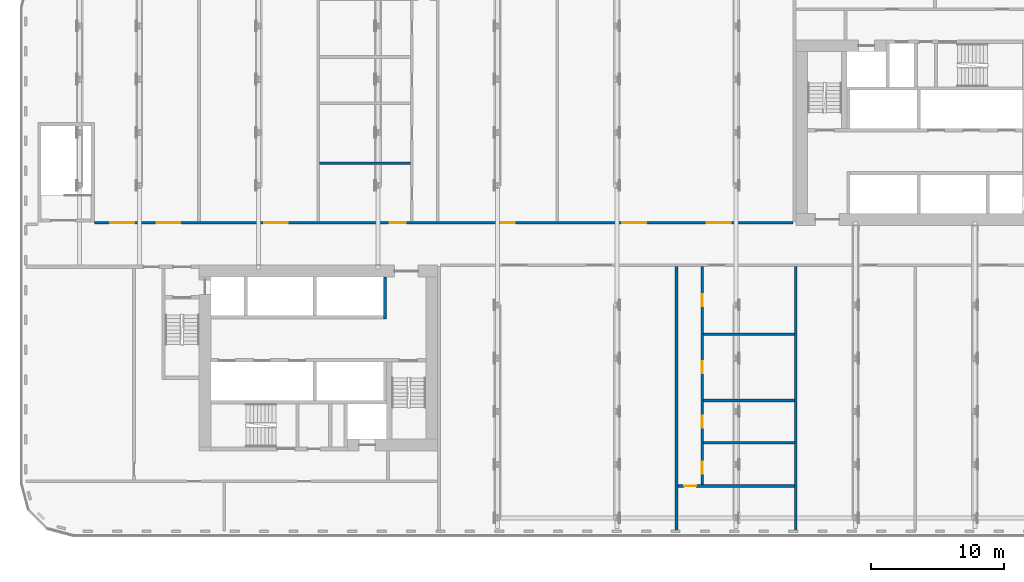
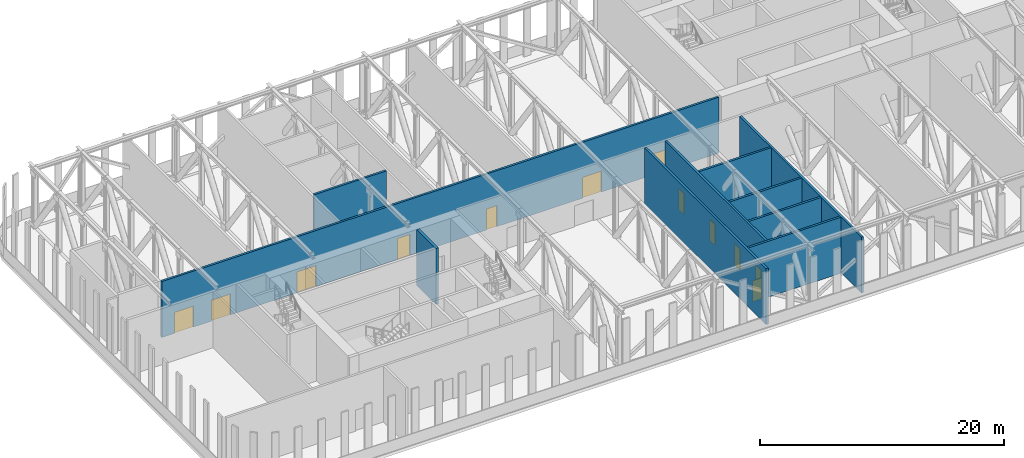
# One storey, part 7 of 26: 12 doors, 10 walls, 12 openings.
"""IFC4 building model written with IfcOpenShell, lengths in metres."""

from ifc_helpers import new_model, si_unit, direction, frame, frame_2d, origin, place, context, subcontext, project, spatial, rectangle, extrude, material, layer, layer_set, type_object, element, fill, save


model = new_model("IFC4")

# Units and contexts
model_context = context("Model", 3, precision=1e-05, world=origin(), true_north=direction((0.0, 1.0)))
body_context = subcontext(model_context, "Body", "Model", "MODEL_VIEW")
ifc_project = project(units=[si_unit("LENGTHUNIT", "METRE"), si_unit("AREAUNIT", "SQUARE_METRE"), si_unit("VOLUMEUNIT", "CUBIC_METRE"), si_unit("PLANEANGLEUNIT", "RADIAN"), si_unit("MASSUNIT", "GRAM", prefix="KILO")], contexts=[model_context])

# Site, building, storey
site_placement = place(None, origin())
site = spatial("IfcSite", under=ifc_project, at=site_placement, CompositionType="ELEMENT")
building_placement = place(site_placement, origin())
building = spatial("IfcBuilding", under=site, at=building_placement, Name="Kajstack Hotel Tower", CompositionType="ELEMENT")
storey_placement = place(building_placement, frame((0.0, 0.0, 47.0)))
storey = spatial("IfcBuildingStorey", under=building, at=storey_placement, Name="L07", CompositionType="ELEMENT", Elevation=47.0)

# Wall
ifc_material_1 = material(Name="Gypsum board on steel studs, mineral wool", Category="steel")
ifc_layer_1 = layer(ifc_material_1, 0.199951171875)
ifc_layer_set_1 = layer_set([ifc_layer_1], Name="Public partition 200")
wall_type_1 = type_object("IfcWallType", Name="Public partition 200", PredefinedType="PARTITIONING", material=ifc_layer_set_1)
wall_1_placement = place(storey_placement, frame((-22.39990234375, 6.199951171875, 0.0), z_axis=(0.0, 0.0, 1.0), x_axis=(1.0, 0.0, 0.0)))
element("IfcWall", 1, at=wall_1_placement, inside=storey, type_object=wall_type_1, Name="Partition C2wP0", PredefinedType="PARTITIONING", context=body_context, shape_type="SweptSolid", body=[
    extrude(rectangle(XDim=6.849853515625, YDim=0.199951171875, at=frame_2d((3.4248046875, 0.0))), origin(), (0.0, 0.0, 1.0), 5.60009765625),
])

# Wall, openings, doors
wall_2_placement = place(storey_placement, frame((-39.39990234375, 1.699951171875, 0.0), z_axis=(0.0, 0.0, 1.0), x_axis=(1.0, 0.0, 0.0)))
wall_2 = element("IfcWall", 2, at=wall_2_placement, inside=storey, type_object=wall_type_1, Name="Partition FW", PredefinedType="PARTITIONING", context=body_context, shape_type="SweptSolid", body=[
    extrude(rectangle(XDim=52.699951171875, YDim=0.199951171875, at=frame_2d((26.35009765625, 0.0))), origin(), (0.0, 0.0, 1.0), 5.60009765625),
])
opening_1_placement = place(wall_2_placement, frame((46.18994140625, 0.0, 0.0)))
opening_1 = element("IfcOpeningElement", 3, at=opening_1_placement, cuts=wall_2, Name="Opening 07P01", PredefinedType="OPENING", context=body_context, shape_type="SweptSolid", body=[
    extrude(rectangle(XDim=1.800048828125, YDim=2.10009765625, at=frame_2d((0.89990234375, 1.050048828125))), frame((0.0, 0.10986328125, 0.0), z_axis=(0.0, -1.0, 0.0), x_axis=(1.0, 0.0, 0.0)), (0.0, 0.0, 1.0), 0.219970703125),
])
opening_2_placement = place(wall_2_placement, frame((39.81005859375, 0.0, 0.0)))
opening_2 = element("IfcOpeningElement", 4, at=opening_2_placement, cuts=wall_2, Name="Opening 07P02", PredefinedType="OPENING", context=body_context, shape_type="SweptSolid", body=[
    extrude(rectangle(XDim=1.800048828125, YDim=2.10009765625, at=frame_2d((0.89990234375, 1.050048828125))), frame((0.0, 0.10986328125, 0.0), z_axis=(0.0, -1.0, 0.0), x_axis=(1.0, 0.0, 0.0)), (0.0, 0.0, 1.0), 0.219970703125),
])
opening_3_placement = place(wall_2_placement, frame((30.699951171875, 0.0, 0.0)))
opening_3 = element("IfcOpeningElement", 5, at=opening_3_placement, cuts=wall_2, Name="Opening 07P03", PredefinedType="OPENING", context=body_context, shape_type="SweptSolid", body=[
    extrude(rectangle(XDim=1.0, YDim=2.10009765625, at=frame_2d((0.5, 1.050048828125))), frame((0.0, 0.10986328125, 0.0), z_axis=(0.0, -1.0, 0.0), x_axis=(1.0, 0.0, 0.0)), (0.0, 0.0, 1.0), 0.219970703125),
])
opening_4_placement = place(wall_2_placement, frame((22.27490234375, 0.0, 0.0)))
opening_4 = element("IfcOpeningElement", 6, at=opening_4_placement, cuts=wall_2, Name="Opening 07P04", PredefinedType="OPENING", context=body_context, shape_type="SweptSolid", body=[
    extrude(rectangle(XDim=1.199951171875, YDim=2.10009765625, at=frame_2d((0.60009765625, 1.050048828125))), frame((0.0, 0.10986328125, 0.0), z_axis=(0.0, -1.0, 0.0), x_axis=(1.0, 0.0, 0.0)), (0.0, 0.0, 1.0), 0.219970703125),
])
opening_5_placement = place(wall_2_placement, frame((12.800048828125, 0.0, 0.0)))
opening_5 = element("IfcOpeningElement", 7, at=opening_5_placement, cuts=wall_2, Name="Opening 07P10", PredefinedType="OPENING", context=body_context, shape_type="SweptSolid", body=[
    extrude(rectangle(XDim=1.800048828125, YDim=2.10009765625, at=frame_2d((0.89990234375, 1.050048828125))), frame((0.0, 0.10986328125, 0.0), z_axis=(0.0, -1.0, 0.0), x_axis=(1.0, 0.0, 0.0)), (0.0, 0.0, 1.0), 0.219970703125),
])
opening_6_placement = place(wall_2_placement, frame((4.699951171875, 0.0, 0.0)))
opening_6 = element("IfcOpeningElement", 8, at=opening_6_placement, cuts=wall_2, Name="Opening 07P11", PredefinedType="OPENING", context=body_context, shape_type="SweptSolid", body=[
    extrude(rectangle(XDim=1.800048828125, YDim=2.10009765625, at=frame_2d((0.89990234375, 1.050048828125))), frame((0.0, 0.10986328125, 0.0), z_axis=(0.0, -1.0, 0.0), x_axis=(1.0, 0.0, 0.0)), (0.0, 0.0, 1.0), 0.219970703125),
])
opening_7_placement = place(wall_2_placement, frame((1.199951171875, 0.0, 0.0)))
opening_7 = element("IfcOpeningElement", 9, at=opening_7_placement, cuts=wall_2, Name="Opening 07P12", PredefinedType="OPENING", context=body_context, shape_type="SweptSolid", body=[
    extrude(rectangle(XDim=1.800048828125, YDim=2.10009765625, at=frame_2d((0.89990234375, 1.050048828125))), frame((0.0, 0.10986328125, 0.0), z_axis=(0.0, -1.0, 0.0), x_axis=(1.0, 0.0, 0.0)), (0.0, 0.0, 1.0), 0.219970703125),
])
ifc_material_2 = material(Name="Timber leaf, fire-rated", Category="wood")
door_type_1 = type_object("IfcDoorType", Name="Public corridor door 1200", OperationType="SINGLE_SWING_LEFT", PredefinedType="DOOR", material=ifc_material_2)
door_1_placement = place(opening_4_placement, origin())
door_1 = element("IfcDoor", 10, at=door_1_placement, inside=storey, type_object=door_type_1, Name="Door 07P04", OperationType="SINGLE_SWING_LEFT", OverallHeight=2.10009765625, OverallWidth=1.199951171875, PredefinedType="DOOR", context=body_context, shape_type="SweptSolid", body=[
    extrude(rectangle(XDim=1.199951171875, YDim=2.10009765625, at=frame_2d((0.60009765625, 1.050048828125))), frame((0.0, 0.02490234375, 0.0), z_axis=(0.0, -1.0, 0.0), x_axis=(1.0, 0.0, 0.0)), (0.0, 0.0, 1.0), 0.050048828125),
])
fill(opening_4, door_1)
ifc_material_3 = material(Name="Glazed timber frame, fire-rated glass", Category="wood")
door_type_2 = type_object("IfcDoorType", Name="Public double door 1800", OperationType="DOUBLE_DOOR_DOUBLE_SWING", PredefinedType="DOOR", material=ifc_material_3)
door_2_placement = place(opening_1_placement, origin())
door_2 = element("IfcDoor", 11, at=door_2_placement, inside=storey, type_object=door_type_2, Name="Door 07P01", OperationType="DOUBLE_DOOR_DOUBLE_SWING", OverallHeight=2.10009765625, OverallWidth=1.800048828125, PredefinedType="DOOR", context=body_context, shape_type="SweptSolid", body=[
    extrude(rectangle(XDim=1.800048828125, YDim=2.10009765625, at=frame_2d((0.89990234375, 1.050048828125))), frame((0.0, 0.02490234375, 0.0), z_axis=(0.0, -1.0, 0.0), x_axis=(1.0, 0.0, 0.0)), (0.0, 0.0, 1.0), 0.050048828125),
])
fill(opening_1, door_2)
door_3_placement = place(opening_2_placement, origin())
door_3 = element("IfcDoor", 12, at=door_3_placement, inside=storey, type_object=door_type_2, Name="Door 07P02", OperationType="DOUBLE_DOOR_DOUBLE_SWING", OverallHeight=2.10009765625, OverallWidth=1.800048828125, PredefinedType="DOOR", context=body_context, shape_type="SweptSolid", body=[
    extrude(rectangle(XDim=1.800048828125, YDim=2.10009765625, at=frame_2d((0.89990234375, 1.050048828125))), frame((0.0, 0.02490234375, 0.0), z_axis=(0.0, -1.0, 0.0), x_axis=(1.0, 0.0, 0.0)), (0.0, 0.0, 1.0), 0.050048828125),
])
fill(opening_2, door_3)
door_4_placement = place(opening_5_placement, origin())
door_4 = element("IfcDoor", 13, at=door_4_placement, inside=storey, type_object=door_type_2, Name="Door 07P10", OperationType="DOUBLE_DOOR_DOUBLE_SWING", OverallHeight=2.10009765625, OverallWidth=1.800048828125, PredefinedType="DOOR", context=body_context, shape_type="SweptSolid", body=[
    extrude(rectangle(XDim=1.800048828125, YDim=2.10009765625, at=frame_2d((0.89990234375, 1.050048828125))), frame((0.0, 0.02490234375, 0.0), z_axis=(0.0, -1.0, 0.0), x_axis=(1.0, 0.0, 0.0)), (0.0, 0.0, 1.0), 0.050048828125),
])
fill(opening_5, door_4)
door_5_placement = place(opening_6_placement, origin())
door_5 = element("IfcDoor", 14, at=door_5_placement, inside=storey, type_object=door_type_2, Name="Door 07P11", OperationType="DOUBLE_DOOR_DOUBLE_SWING", OverallHeight=2.10009765625, OverallWidth=1.800048828125, PredefinedType="DOOR", context=body_context, shape_type="SweptSolid", body=[
    extrude(rectangle(XDim=1.800048828125, YDim=2.10009765625, at=frame_2d((0.89990234375, 1.050048828125))), frame((0.0, 0.02490234375, 0.0), z_axis=(0.0, -1.0, 0.0), x_axis=(1.0, 0.0, 0.0)), (0.0, 0.0, 1.0), 0.050048828125),
])
fill(opening_6, door_5)
door_6_placement = place(opening_7_placement, origin())
door_6 = element("IfcDoor", 15, at=door_6_placement, inside=storey, type_object=door_type_2, Name="Door 07P12", OperationType="DOUBLE_DOOR_DOUBLE_SWING", OverallHeight=2.10009765625, OverallWidth=1.800048828125, PredefinedType="DOOR", context=body_context, shape_type="SweptSolid", body=[
    extrude(rectangle(XDim=1.800048828125, YDim=2.10009765625, at=frame_2d((0.89990234375, 1.050048828125))), frame((0.0, 0.02490234375, 0.0), z_axis=(0.0, -1.0, 0.0), x_axis=(1.0, 0.0, 0.0)), (0.0, 0.0, 1.0), 0.050048828125),
])
fill(opening_7, door_6)
ifc_material_4 = material(Name="Timber leaf", Category="wood")
door_type_3 = type_object("IfcDoorType", Name="Public room door 1000", OperationType="SINGLE_SWING_LEFT", PredefinedType="DOOR", material=ifc_material_4)
door_7_placement = place(opening_3_placement, origin())
door_7 = element("IfcDoor", 16, at=door_7_placement, inside=storey, type_object=door_type_3, Name="Door 07P03", OperationType="SINGLE_SWING_LEFT", OverallHeight=2.10009765625, OverallWidth=1.0, PredefinedType="DOOR", context=body_context, shape_type="SweptSolid", body=[
    extrude(rectangle(XDim=1.0, YDim=2.10009765625, at=frame_2d((0.5, 1.050048828125))), frame((0.0, 0.02490234375, 0.0), z_axis=(0.0, -1.0, 0.0), x_axis=(1.0, 0.0, 0.0)), (0.0, 0.0, 1.0), 0.050048828125),
])
fill(opening_3, door_7)

# Wall
wall_3_placement = place(storey_placement, frame((4.5, -21.550048828125, 0.0), z_axis=(0.0, 0.0, 1.0), x_axis=(0.0, 1.0, 0.0)))
element("IfcWall", 17, at=wall_3_placement, inside=storey, type_object=wall_type_1, Name="Partition SPX0", PredefinedType="PARTITIONING", context=body_context, shape_type="SweptSolid", body=[
    extrude(rectangle(XDim=19.949951171875, YDim=0.199951171875, at=frame_2d((9.97509765625, 0.0))), origin(), (0.0, 0.0, 1.0), 5.60009765625),
])

# Wall, openings, doors
wall_4_placement = place(storey_placement, frame((6.449951171875, -18.050048828125, 0.0), z_axis=(0.0, 0.0, 1.0), x_axis=(0.0, 1.0, 0.0)))
wall_4 = element("IfcWall", 18, at=wall_4_placement, inside=storey, type_object=wall_type_1, Name="Partition SC1CW", PredefinedType="PARTITIONING", context=body_context, shape_type="SweptSolid", body=[
    extrude(rectangle(XDim=16.449951171875, YDim=0.199951171875, at=frame_2d((8.22509765625, 0.0))), origin(), (0.0, 0.0, 1.0), 5.60009765625),
])
opening_8_placement = place(wall_4_placement, frame((13.449951171875, 0.0, 0.0)))
opening_8 = element("IfcOpeningElement", 19, at=opening_8_placement, cuts=wall_4, Name="Opening 07P16", PredefinedType="OPENING", context=body_context, shape_type="SweptSolid", body=[
    extrude(rectangle(XDim=0.89990234375, YDim=2.10009765625, at=frame_2d((0.449951171875, 1.050048828125))), frame((0.0, 0.10986328125, 0.0), z_axis=(0.0, -1.0, 0.0), x_axis=(1.0, 0.0, 0.0)), (0.0, 0.0, 1.0), 0.219970703125),
])
opening_9_placement = place(wall_4_placement, frame((8.39990234375, 0.0, 0.0)))
opening_9 = element("IfcOpeningElement", 20, at=opening_9_placement, cuts=wall_4, Name="Opening 07P17", PredefinedType="OPENING", context=body_context, shape_type="SweptSolid", body=[
    extrude(rectangle(XDim=0.89990234375, YDim=2.10009765625, at=frame_2d((0.449951171875, 1.050048828125))), frame((0.0, 0.10986328125, 0.0), z_axis=(0.0, -1.0, 0.0), x_axis=(1.0, 0.0, 0.0)), (0.0, 0.0, 1.0), 0.219970703125),
])
opening_10_placement = place(wall_4_placement, frame((4.300048828125, 0.0, 0.0)))
opening_10 = element("IfcOpeningElement", 21, at=opening_10_placement, cuts=wall_4, Name="Opening 07P18", PredefinedType="OPENING", context=body_context, shape_type="SweptSolid", body=[
    extrude(rectangle(XDim=0.89990234375, YDim=2.10009765625, at=frame_2d((0.449951171875, 1.050048828125))), frame((0.0, 0.10986328125, 0.0), z_axis=(0.0, -1.0, 0.0), x_axis=(1.0, 0.0, 0.0)), (0.0, 0.0, 1.0), 0.219970703125),
])
opening_11_placement = place(wall_4_placement, frame((0.824951171875, 0.0, 0.0)))
opening_11 = element("IfcOpeningElement", 22, at=opening_11_placement, cuts=wall_4, Name="Opening 07P19", PredefinedType="OPENING", context=body_context, shape_type="SweptSolid", body=[
    extrude(rectangle(XDim=0.89990234375, YDim=2.10009765625, at=frame_2d((0.449951171875, 1.050048828125))), frame((0.0, 0.10986328125, 0.0), z_axis=(0.0, -1.0, 0.0), x_axis=(1.0, 0.0, 0.0)), (0.0, 0.0, 1.0), 0.219970703125),
])
door_type_4 = type_object("IfcDoorType", Name="Public room door 900", OperationType="SINGLE_SWING_LEFT", PredefinedType="DOOR", material=ifc_material_4)
door_8_placement = place(opening_8_placement, origin())
door_8 = element("IfcDoor", 23, at=door_8_placement, inside=storey, type_object=door_type_4, Name="Door 07P16", OperationType="SINGLE_SWING_RIGHT", OverallHeight=2.10009765625, OverallWidth=0.89990234375, PredefinedType="DOOR", context=body_context, shape_type="SweptSolid", body=[
    extrude(rectangle(XDim=0.89990234375, YDim=2.10009765625, at=frame_2d((0.449951171875, 1.050048828125))), frame((0.0, 0.02490234375, 0.0), z_axis=(0.0, -1.0, 0.0), x_axis=(1.0, 0.0, 0.0)), (0.0, 0.0, 1.0), 0.050048828125),
])
fill(opening_8, door_8)
door_9_placement = place(opening_9_placement, origin())
door_9 = element("IfcDoor", 24, at=door_9_placement, inside=storey, type_object=door_type_4, Name="Door 07P17", OperationType="SINGLE_SWING_RIGHT", OverallHeight=2.10009765625, OverallWidth=0.89990234375, PredefinedType="DOOR", context=body_context, shape_type="SweptSolid", body=[
    extrude(rectangle(XDim=0.89990234375, YDim=2.10009765625, at=frame_2d((0.449951171875, 1.050048828125))), frame((0.0, 0.02490234375, 0.0), z_axis=(0.0, -1.0, 0.0), x_axis=(1.0, 0.0, 0.0)), (0.0, 0.0, 1.0), 0.050048828125),
])
fill(opening_9, door_9)
door_10_placement = place(opening_10_placement, origin())
door_10 = element("IfcDoor", 25, at=door_10_placement, inside=storey, type_object=door_type_4, Name="Door 07P18", OperationType="SINGLE_SWING_RIGHT", OverallHeight=2.10009765625, OverallWidth=0.89990234375, PredefinedType="DOOR", context=body_context, shape_type="SweptSolid", body=[
    extrude(rectangle(XDim=0.89990234375, YDim=2.10009765625, at=frame_2d((0.449951171875, 1.050048828125))), frame((0.0, 0.02490234375, 0.0), z_axis=(0.0, -1.0, 0.0), x_axis=(1.0, 0.0, 0.0)), (0.0, 0.0, 1.0), 0.050048828125),
])
fill(opening_10, door_10)
door_11_placement = place(opening_11_placement, origin())
door_11 = element("IfcDoor", 26, at=door_11_placement, inside=storey, type_object=door_type_4, Name="Door 07P19", OperationType="SINGLE_SWING_RIGHT", OverallHeight=2.10009765625, OverallWidth=0.89990234375, PredefinedType="DOOR", context=body_context, shape_type="SweptSolid", body=[
    extrude(rectangle(XDim=0.89990234375, YDim=2.10009765625, at=frame_2d((0.449951171875, 1.050048828125))), frame((0.0, 0.02490234375, 0.0), z_axis=(0.0, -1.0, 0.0), x_axis=(1.0, 0.0, 0.0)), (0.0, 0.0, 1.0), 0.050048828125),
])
fill(opening_11, door_11)

# Walls
for number, where, z_axis, x_axis, name in (
    (27, (6.550048828125, -6.699951171875, 0.0), (0.0, 0.0, 1.0), (1.0, 0.0, 0.0), "Partition SC1wP0"),
    (28, (6.550048828125, -11.699951171875, 0.0), (0.0, 0.0, 1.0), (1.0, 0.0, 0.0), "Partition SC1wP1"),
    (29, (6.550048828125, -14.89990234375, 0.0), (0.0, 0.0, 1.0), (1.0, 0.0, 0.0), "Partition SC1wP2"),
):
    element("IfcWall", number, at=place(storey_placement, frame(where, z_axis=z_axis, x_axis=x_axis)), inside=storey, type_object=wall_type_1, Name=name, PredefinedType="PARTITIONING", context=body_context, shape_type="SweptSolid", body=[
        extrude(rectangle(XDim=6.849853515625, YDim=0.199951171875, at=frame_2d((3.4248046875, 0.0))), origin(), (0.0, 0.0, 1.0), 5.60009765625),
    ])

# Wall, opening, door
wall_5_placement = place(storey_placement, frame((4.60009765625, -18.14990234375, 0.0), z_axis=(0.0, 0.0, 1.0), x_axis=(1.0, 0.0, 0.0)))
wall_5 = element("IfcWall", 30, at=wall_5_placement, inside=storey, type_object=wall_type_1, Name="Partition SC1BW", PredefinedType="PARTITIONING", context=body_context, shape_type="SweptSolid", body=[
    extrude(rectangle(XDim=8.7998046875, YDim=0.199951171875, at=frame_2d((4.39990234375, 0.0))), origin(), (0.0, 0.0, 1.0), 5.60009765625),
])
opening_12_placement = place(wall_5_placement, frame((0.47509765625, 0.0, 0.0)))
opening_12 = element("IfcOpeningElement", 31, at=opening_12_placement, cuts=wall_5, Name="Opening 07P20", PredefinedType="OPENING", context=body_context, shape_type="SweptSolid", body=[
    extrude(rectangle(XDim=0.89990234375, YDim=2.10009765625, at=frame_2d((0.449951171875, 1.050048828125))), frame((0.0, 0.10986328125, 0.0), z_axis=(0.0, -1.0, 0.0), x_axis=(1.0, 0.0, 0.0)), (0.0, 0.0, 1.0), 0.219970703125),
])
door_12_placement = place(opening_12_placement, origin())
door_12 = element("IfcDoor", 32, at=door_12_placement, inside=storey, type_object=door_type_4, Name="Door 07P20", OperationType="SINGLE_SWING_RIGHT", OverallHeight=2.10009765625, OverallWidth=0.89990234375, PredefinedType="DOOR", context=body_context, shape_type="SweptSolid", body=[
    extrude(rectangle(XDim=0.89990234375, YDim=2.10009765625, at=frame_2d((0.449951171875, 1.050048828125))), frame((0.0, 0.02490234375, 0.0), z_axis=(0.0, -1.0, 0.0), x_axis=(1.0, 0.0, 0.0)), (0.0, 0.0, 1.0), 0.050048828125),
])
fill(opening_12, door_12)

# Walls
wall_6_placement = place(storey_placement, frame((13.5, -21.550048828125, 0.0), z_axis=(0.0, 0.0, 1.0), x_axis=(0.0, 1.0, 0.0)))
element("IfcWall", 33, at=wall_6_placement, inside=storey, type_object=wall_type_1, Name="Partition SPX1", PredefinedType="PARTITIONING", context=body_context, shape_type="SweptSolid", body=[
    extrude(rectangle(XDim=19.949951171875, YDim=0.199951171875, at=frame_2d((9.97509765625, 0.0))), origin(), (0.0, 0.0, 1.0), 5.60009765625),
])
ifc_material_5 = material(Name="Concrete C50/60", Category="concrete")
ifc_layer_2 = layer(ifc_material_5, 0.25)
ifc_layer_set_2 = layer_set([ifc_layer_2], Name="Shaft wall 250")
wall_type_2 = type_object("IfcWallType", Name="Shaft wall 250", PredefinedType="SHEAR", material=ifc_layer_set_2)
wall_7_placement = place(storey_placement, frame((-17.47509765625, -5.550048828125, 0.0), z_axis=(0.0, 0.0, 1.0), x_axis=(0.0, 1.0, 0.0)))
element("IfcWall", 34, at=wall_7_placement, inside=storey, type_object=wall_type_2, Name="Core wall W AE", PredefinedType="SHEAR", context=body_context, shape_type="SweptSolid", body=[
    extrude(rectangle(XDim=3.150146484375, YDim=0.25, at=frame_2d((1.5751953125, 0.0))), origin(), (0.0, 0.0, 1.0), 5.60009765625),
])

save(model, "model.ifc")
